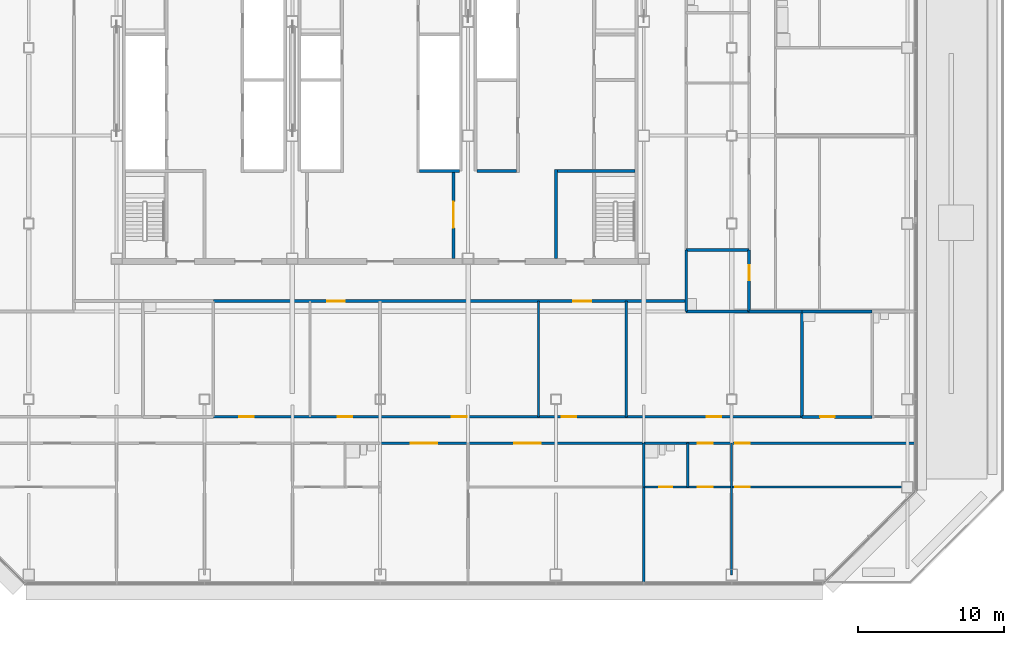
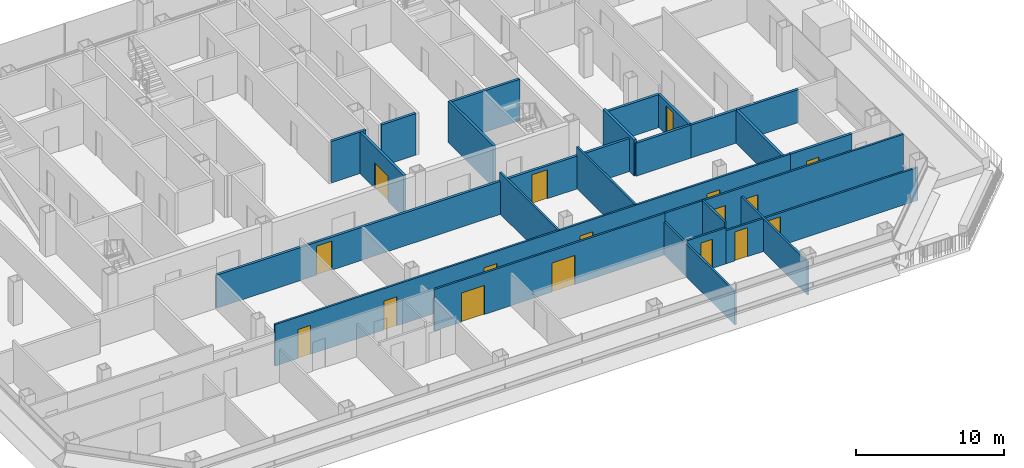
# One storey, part 18 of 28: 26 walls, 17 doors, 17 openings.
"""IFC4 building model written with IfcOpenShell, lengths in metres."""

from ifc_helpers import new_model, si_unit, direction, frame, frame_2d, origin, place, context, subcontext, project, spatial, rectangle, extrude, material, layer, layer_set, type_object, element, fill, save


model = new_model("IFC4")

# Units and contexts
model_context = context("Model", 3, precision=1e-05, world=origin(), true_north=direction((0.0, 1.0)))
body_context = subcontext(model_context, "Body", "Model", "MODEL_VIEW")
ifc_project = project(units=[si_unit("LENGTHUNIT", "METRE"), si_unit("AREAUNIT", "SQUARE_METRE"), si_unit("VOLUMEUNIT", "CUBIC_METRE"), si_unit("PLANEANGLEUNIT", "RADIAN"), si_unit("MASSUNIT", "GRAM", prefix="KILO")], contexts=[model_context])

# Site, building, storey
site_placement = place(None, origin())
site = spatial("IfcSite", under=ifc_project, at=site_placement, CompositionType="ELEMENT")
building_placement = place(site_placement, origin())
building = spatial("IfcBuilding", under=site, at=building_placement, Name="Sorahane Residences", CompositionType="ELEMENT")
storey_placement = place(building_placement, frame((0.0, 0.0, 96.199951171875)))
storey = spatial("IfcBuildingStorey", under=building, at=storey_placement, Name="L20", CompositionType="ELEMENT", Elevation=96.199951171875)

# Wall, openings, doors
ifc_material_1 = material(Name="Concrete blockwork C20 wall", Category="masonry")
ifc_layer_1 = layer(ifc_material_1, 0.199951171875)
ifc_layer_set_1 = layer_set([ifc_layer_1], Name="Corridor wall 200 EI 120")
wall_type_1 = type_object("IfcWallType", Name="Corridor wall 200 EI 120", PredefinedType="SOLIDWALL", material=ifc_layer_set_1)
wall_1_placement = place(storey_placement, frame((12.60009765625, 18.699951171875, 0.0), z_axis=(0.0, 0.0, 1.0), x_axis=(1.0, 0.0, 0.0)))
wall_1 = element("IfcWall", 1, at=wall_1_placement, inside=storey, type_object=wall_type_1, Name="L20 corridor wall", PredefinedType="SOLIDWALL", context=body_context, shape_type="SweptSolid", body=[
    extrude(rectangle(XDim=32.2998046875, YDim=0.199951171875, at=frame_2d((16.14990234375, 0.0))), origin(), (0.0, 0.0, 1.0), 2.719970703125),
])
opening_1_placement = place(wall_1_placement, frame((7.780029296875, 0.0, 0.0)))
opening_1 = element("IfcOpeningElement", 2, at=opening_1_placement, cuts=wall_1, Name="Opening L20-38", PredefinedType="OPENING", context=body_context, shape_type="SweptSolid", body=[
    extrude(rectangle(XDim=1.199951171875, YDim=2.39990234375, at=frame_2d((0.60009765625, 1.199951171875))), frame((0.0, 0.10986328125, 0.0), z_axis=(0.0, -1.0, 0.0), x_axis=(1.0, 0.0, 0.0)), (0.0, 0.0, 1.0), 0.219970703125),
])
opening_2_placement = place(wall_1_placement, frame((24.60009765625, 0.0, 0.0)))
opening_2 = element("IfcOpeningElement", 3, at=opening_2_placement, cuts=wall_1, Name="Opening L20-39", PredefinedType="OPENING", context=body_context, shape_type="SweptSolid", body=[
    extrude(rectangle(XDim=1.199951171875, YDim=2.39990234375, at=frame_2d((0.60009765625, 1.199951171875))), frame((0.0, 0.10986328125, 0.0), z_axis=(0.0, -1.0, 0.0), x_axis=(1.0, 0.0, 0.0)), (0.0, 0.0, 1.0), 0.219970703125),
])
ifc_material_2 = material(Name="Timber veneered fire door", Category="wood")
door_type_1 = type_object("IfcDoorType", Name="Flat entrance door 1200x2400 FD60", OperationType="NOTDEFINED", PredefinedType="DOOR", material=ifc_material_2)
door_1_placement = place(opening_1_placement, frame((1.199951171875, 0.0, 0.0), z_axis=(0.0, 0.0, 1.0), x_axis=(-1.0, 0.0, 0.0)))
door_1 = element("IfcDoor", 4, at=door_1_placement, inside=storey, type_object=door_type_1, Name="Flat entrance door L20-38", OperationType="SINGLE_SWING_LEFT", OverallHeight=2.39990234375, OverallWidth=1.199951171875, PredefinedType="DOOR", context=body_context, shape_type="SweptSolid", body=[
    extrude(rectangle(XDim=1.199951171875, YDim=2.39990234375, at=frame_2d((0.60009765625, 1.199951171875))), frame((0.0, 0.02490234375, 0.0), z_axis=(0.0, -1.0, 0.0), x_axis=(1.0, 0.0, 0.0)), (0.0, 0.0, 1.0), 0.050048828125),
])
fill(opening_1, door_1)
door_2_placement = place(opening_2_placement, frame((1.199951171875, 0.0, 0.0), z_axis=(0.0, 0.0, 1.0), x_axis=(-1.0, 0.0, 0.0)))
door_2 = element("IfcDoor", 5, at=door_2_placement, inside=storey, type_object=door_type_1, Name="Flat entrance door L20-39", OperationType="SINGLE_SWING_LEFT", OverallHeight=2.39990234375, OverallWidth=1.199951171875, PredefinedType="DOOR", context=body_context, shape_type="SweptSolid", body=[
    extrude(rectangle(XDim=1.199951171875, YDim=2.39990234375, at=frame_2d((0.60009765625, 1.199951171875))), frame((0.0, 0.02490234375, 0.0), z_axis=(0.0, -1.0, 0.0), x_axis=(1.0, 0.0, 0.0)), (0.0, 0.0, 1.0), 0.050048828125),
])
fill(opening_2, door_2)

# Walls
ifc_material_3 = material(Name="Concrete C30", Category="concrete")
ifc_layer_2 = layer(ifc_material_3, 0.199951171875)
ifc_layer_set_2 = layer_set([ifc_layer_2], Name="Front room wall 200 EI 120")
wall_type_2 = type_object("IfcWallType", Name="Front room wall 200 EI 120", PredefinedType="PARTITIONING", material=ifc_layer_set_2)
wall_2_placement = place(storey_placement, frame((36.0, 21.60009765625, 0.0), z_axis=(0.0, 0.0, 1.0), x_axis=(0.0, 1.0, 0.0)))
element("IfcWall", 6, at=wall_2_placement, inside=storey, type_object=wall_type_2, Name="L20 front room wall", PredefinedType="PARTITIONING", context=body_context, shape_type="SweptSolid", body=[
    extrude(rectangle(XDim=6.099853515625, YDim=0.199951171875, at=frame_2d((3.0498046875, 0.0))), origin(), (0.0, 0.0, 1.0), 3.420166015625),
])
ifc_material_4 = material(Name="Concrete blockwork C20 wall", Category="masonry")
ifc_layer_3 = layer(ifc_material_4, 0.199951171875)
ifc_layer_set_3 = layer_set([ifc_layer_3], Name="Kitchen wall 200 EI 180")
wall_type_3 = type_object("IfcWallType", Name="Kitchen wall 200 EI 180", PredefinedType="SOLIDWALL", material=ifc_layer_set_3)
wall_3_placement = place(storey_placement, frame((44.89990234375, 18.0, 0.0), z_axis=(0.0, 0.0, 1.0), x_axis=(0.0, 1.0, 0.0)))
element("IfcWall", 7, at=wall_3_placement, inside=storey, type_object=wall_type_3, Name="L20 kitchen wall", PredefinedType="SOLIDWALL", context=body_context, shape_type="SweptSolid", body=[
    extrude(rectangle(XDim=4.199951171875, YDim=0.199951171875, at=frame_2d((2.10009765625, 0.0))), origin(), (0.0, 0.0, 1.0), 2.969970703125),
])

# Wall, opening, door
wall_4_placement = place(storey_placement, frame((49.199951171875, 18.0, 0.0), z_axis=(0.0, 0.0, 1.0), x_axis=(0.0, 1.0, 0.0)))
wall_4 = element("IfcWall", 8, at=wall_4_placement, inside=storey, type_object=wall_type_3, Name="L20 kitchen wall", PredefinedType="SOLIDWALL", context=body_context, shape_type="SweptSolid", body=[
    extrude(rectangle(XDim=4.199951171875, YDim=0.199951171875, at=frame_2d((2.10009765625, 0.0))), origin(), (0.0, 0.0, 1.0), 2.719970703125),
])
opening_3_placement = place(wall_4_placement, frame((2.139892578125, 0.0, 0.0)))
opening_3 = element("IfcOpeningElement", 9, at=opening_3_placement, cuts=wall_4, Name="Opening L20-27", PredefinedType="OPENING", context=body_context, shape_type="SweptSolid", body=[
    extrude(rectangle(XDim=1.0, YDim=2.39990234375, at=frame_2d((0.5, 1.199951171875))), frame((0.0, 0.10986328125, 0.0), z_axis=(0.0, -1.0, 0.0), x_axis=(1.0, 0.0, 0.0)), (0.0, 0.0, 1.0), 0.219970703125),
])
ifc_material_5 = material(Name="Steel", Category="steel")
door_type_2 = type_object("IfcDoorType", Name="Kitchen door 1000x2400 FD120", OperationType="NOTDEFINED", PredefinedType="DOOR", material=ifc_material_5)
door_3_placement = place(opening_3_placement, origin())
door_3 = element("IfcDoor", 10, at=door_3_placement, inside=storey, type_object=door_type_2, Name="Kitchen door L20-27", OperationType="SINGLE_SWING_LEFT", OverallHeight=2.39990234375, OverallWidth=1.0, PredefinedType="DOOR", context=body_context, shape_type="SweptSolid", body=[
    extrude(rectangle(XDim=1.0, YDim=2.39990234375, at=frame_2d((0.5, 1.199951171875))), frame((0.0, 0.02490234375, 0.0), z_axis=(0.0, -1.0, 0.0), x_axis=(1.0, 0.0, 0.0)), (0.0, 0.0, 1.0), 0.050048828125),
])
fill(opening_3, door_3)

# Wall
wall_5_placement = place(storey_placement, frame((52.800048828125, 10.800048828125, 0.0), z_axis=(0.0, 0.0, 1.0), x_axis=(0.0, 1.0, 0.0)))
element("IfcWall", 11, at=wall_5_placement, inside=storey, type_object=wall_type_3, Name="L20 kitchen wall", PredefinedType="SOLIDWALL", context=body_context, shape_type="SweptSolid", body=[
    extrude(rectangle(XDim=7.199951171875, YDim=0.199951171875, at=frame_2d((3.60009765625, 0.0))), origin(), (0.0, 0.0, 1.0), 2.719970703125),
])

# Wall, opening, door
wall_6_placement = place(storey_placement, frame((52.800048828125, 10.800048828125, 0.0), z_axis=(0.0, 0.0, 1.0), x_axis=(1.0, 0.0, 0.0)))
wall_6 = element("IfcWall", 12, at=wall_6_placement, inside=storey, type_object=wall_type_3, Name="L20 kitchen wall", PredefinedType="SOLIDWALL", context=body_context, shape_type="SweptSolid", body=[
    extrude(rectangle(XDim=4.800048828125, YDim=0.199951171875, at=frame_2d((2.39990234375, 0.0))), origin(), (0.0, 0.0, 1.0), 3.420166015625),
])
opening_4_placement = place(wall_6_placement, frame((1.239990234375, 0.0, 0.0)))
opening_4 = element("IfcOpeningElement", 13, at=opening_4_placement, cuts=wall_6, Name="Opening L20-16", PredefinedType="OPENING", context=body_context, shape_type="SweptSolid", body=[
    extrude(rectangle(XDim=1.0, YDim=2.39990234375, at=frame_2d((0.5, 1.199951171875))), frame((0.0, 0.10986328125, 0.0), z_axis=(0.0, -1.0, 0.0), x_axis=(1.0, 0.0, 0.0)), (0.0, 0.0, 1.0), 0.219970703125),
])
door_4_placement = place(opening_4_placement, origin())
door_4 = element("IfcDoor", 14, at=door_4_placement, inside=storey, type_object=door_type_2, Name="Kitchen door L20-16", OperationType="SINGLE_SWING_LEFT", OverallHeight=2.39990234375, OverallWidth=1.0, PredefinedType="DOOR", context=body_context, shape_type="SweptSolid", body=[
    extrude(rectangle(XDim=1.0, YDim=2.39990234375, at=frame_2d((0.5, 1.199951171875))), frame((0.0, 0.02490234375, 0.0), z_axis=(0.0, -1.0, 0.0), x_axis=(1.0, 0.0, 0.0)), (0.0, 0.0, 1.0), 0.050048828125),
])
fill(opening_4, door_4)

# Walls
wall_7_placement = place(storey_placement, frame((44.89990234375, 18.0, 0.0), z_axis=(0.0, 0.0, 1.0), x_axis=(1.0, 0.0, 0.0)))
element("IfcWall", 15, at=wall_7_placement, inside=storey, type_object=wall_type_3, Name="L20 kitchen wall", PredefinedType="SOLIDWALL", context=body_context, shape_type="SweptSolid", body=[
    extrude(rectangle(XDim=4.300048828125, YDim=0.199951171875, at=frame_2d((2.14990234375, 0.0))), origin(), (0.0, 0.0, 1.0), 2.719970703125),
])
wall_8_placement = place(storey_placement, frame((52.800048828125, 18.0, 0.0), z_axis=(0.0, 0.0, 1.0), x_axis=(1.0, 0.0, 0.0)))
element("IfcWall", 16, at=wall_8_placement, inside=storey, type_object=wall_type_3, Name="L20 kitchen wall", PredefinedType="SOLIDWALL", context=body_context, shape_type="SweptSolid", body=[
    extrude(rectangle(XDim=4.800048828125, YDim=0.199951171875, at=frame_2d((2.39990234375, 0.0))), origin(), (0.0, 0.0, 1.0), 2.719970703125),
])
wall_9_placement = place(storey_placement, frame((44.89990234375, 22.199951171875, 0.0), z_axis=(0.0, 0.0, 1.0), x_axis=(1.0, 0.0, 0.0)))
element("IfcWall", 17, at=wall_9_placement, inside=storey, type_object=wall_type_3, Name="L20 kitchen wall", PredefinedType="SOLIDWALL", context=body_context, shape_type="SweptSolid", body=[
    extrude(rectangle(XDim=4.300048828125, YDim=0.199951171875, at=frame_2d((2.14990234375, 0.0))), origin(), (0.0, 0.0, 1.0), 2.719970703125),
])
ifc_material_6 = material(Name="Gypsum board partition on steel studs", Category="steel")
ifc_layer_4 = layer(ifc_material_6, 0.14990234375)
ifc_layer_set_4 = layer_set([ifc_layer_4], Name="Partition 150 EI 90")
wall_type_4 = type_object("IfcWallType", Name="Partition 150 EI 90", PredefinedType="PARTITIONING", material=ifc_layer_set_4)
for number, where, z_axis, x_axis, name in (
    (18, (34.800048828125, 10.800048828125, 0.0), (0.0, 0.0, 1.0), (0.0, 1.0, 0.0), "L20 partition"),
    (19, (40.800048828125, 10.800048828125, 0.0), (0.0, 0.0, 1.0), (0.0, 1.0, 0.0), "L20 partition"),
):
    element("IfcWall", number, at=place(storey_placement, frame(where, z_axis=z_axis, x_axis=x_axis)), inside=storey, type_object=wall_type_4, Name=name, PredefinedType="PARTITIONING", context=body_context, shape_type="SweptSolid", body=[
        extrude(rectangle(XDim=7.89990234375, YDim=0.14990234375, at=frame_2d((3.949951171875, 0.0))), origin(), (0.0, 0.0, 1.0), 3.420166015625),
    ])
wall_10_placement = place(storey_placement, frame((42.0, -0.60009765625, 0.0), z_axis=(0.0, 0.0, 1.0), x_axis=(0.0, 1.0, 0.0)))
element("IfcWall", 20, at=wall_10_placement, inside=storey, type_object=wall_type_4, Name="L20 partition", PredefinedType="PARTITIONING", context=body_context, shape_type="SweptSolid", body=[
    extrude(rectangle(XDim=6.60009765625, YDim=0.14990234375, at=frame_2d((3.300048828125, 0.0))), origin(), (0.0, 0.0, 1.0), 2.719970703125),
])
wall_11_placement = place(storey_placement, frame((48.0, 0.0, 0.0), z_axis=(0.0, 0.0, 1.0), x_axis=(0.0, 1.0, 0.0)))
element("IfcWall", 21, at=wall_11_placement, inside=storey, type_object=wall_type_4, Name="L20 partition", PredefinedType="PARTITIONING", context=body_context, shape_type="SweptSolid", body=[
    extrude(rectangle(XDim=9.0, YDim=0.14990234375, at=frame_2d((4.5, 0.0))), origin(), (0.0, 0.0, 1.0), 2.719970703125),
])

# Wall, openings, doors
wall_12_placement = place(storey_placement, frame((12.60009765625, 10.800048828125, 0.0), z_axis=(0.0, 0.0, 1.0), x_axis=(1.0, 0.0, 0.0)))
wall_12 = element("IfcWall", 22, at=wall_12_placement, inside=storey, type_object=wall_type_4, Name="L20 partition", PredefinedType="PARTITIONING", context=body_context, shape_type="SweptSolid", body=[
    extrude(rectangle(XDim=40.199951171875, YDim=0.14990234375, at=frame_2d((20.10009765625, 0.0))), origin(), (0.0, 0.0, 1.0), 3.420166015625),
])
opening_5_placement = place(wall_12_placement, frame((8.5, 0.0, 0.0)))
opening_5 = element("IfcOpeningElement", 23, at=opening_5_placement, cuts=wall_12, Name="Opening L20-01", PredefinedType="OPENING", context=body_context, shape_type="SweptSolid", body=[
    extrude(rectangle(XDim=1.0, YDim=2.39990234375, at=frame_2d((0.5, 1.199951171875))), frame((0.0, 0.0849609375, 0.0), z_axis=(0.0, -1.0, 0.0), x_axis=(1.0, 0.0, 0.0)), (0.0, 0.0, 1.0), 0.169921875),
])
opening_6_placement = place(wall_12_placement, frame((1.780029296875, 0.0, 0.0)))
opening_6 = element("IfcOpeningElement", 24, at=opening_6_placement, cuts=wall_12, Name="Opening L20-05", PredefinedType="OPENING", context=body_context, shape_type="SweptSolid", body=[
    extrude(rectangle(XDim=1.0, YDim=2.39990234375, at=frame_2d((0.5, 1.199951171875))), frame((0.0, 0.0849609375, 0.0), z_axis=(0.0, -1.0, 0.0), x_axis=(1.0, 0.0, 0.0)), (0.0, 0.0, 1.0), 0.169921875),
])
opening_7_placement = place(wall_12_placement, frame((23.800048828125, 0.0, 0.0)))
opening_7 = element("IfcOpeningElement", 25, at=opening_7_placement, cuts=wall_12, Name="Opening L20-13", PredefinedType="OPENING", context=body_context, shape_type="SweptSolid", body=[
    extrude(rectangle(XDim=1.0, YDim=2.39990234375, at=frame_2d((0.5, 1.199951171875))), frame((0.0, 0.0849609375, 0.0), z_axis=(0.0, -1.0, 0.0), x_axis=(1.0, 0.0, 0.0)), (0.0, 0.0, 1.0), 0.169921875),
])
opening_8_placement = place(wall_12_placement, frame((16.300048828125, 0.0, 0.0)))
opening_8 = element("IfcOpeningElement", 26, at=opening_8_placement, cuts=wall_12, Name="Opening L20-14", PredefinedType="OPENING", context=body_context, shape_type="SweptSolid", body=[
    extrude(rectangle(XDim=1.0, YDim=2.39990234375, at=frame_2d((0.5, 1.199951171875))), frame((0.0, 0.0849609375, 0.0), z_axis=(0.0, -1.0, 0.0), x_axis=(1.0, 0.0, 0.0)), (0.0, 0.0, 1.0), 0.169921875),
])
opening_9_placement = place(wall_12_placement, frame((33.699951171875, 0.0, 0.0)))
opening_9 = element("IfcOpeningElement", 27, at=opening_9_placement, cuts=wall_12, Name="Opening L20-15", PredefinedType="OPENING", context=body_context, shape_type="SweptSolid", body=[
    extrude(rectangle(XDim=1.0, YDim=2.39990234375, at=frame_2d((0.5, 1.199951171875))), frame((0.0, 0.0849609375, 0.0), z_axis=(0.0, -1.0, 0.0), x_axis=(1.0, 0.0, 0.0)), (0.0, 0.0, 1.0), 0.169921875),
])
ifc_material_7 = material(Name="Timber veneered fire door", Category="wood")
door_type_3 = type_object("IfcDoorType", Name="Room door 1000x2400 FD30", OperationType="NOTDEFINED", PredefinedType="DOOR", material=ifc_material_7)
door_5_placement = place(opening_5_placement, frame((1.0, 0.0, 0.0), z_axis=(0.0, 0.0, 1.0), x_axis=(-1.0, 0.0, 0.0)))
door_5 = element("IfcDoor", 28, at=door_5_placement, inside=storey, type_object=door_type_3, Name="Room door L20-01", OperationType="SINGLE_SWING_RIGHT", OverallHeight=2.39990234375, OverallWidth=1.0, PredefinedType="DOOR", context=body_context, shape_type="SweptSolid", body=[
    extrude(rectangle(XDim=1.0, YDim=2.39990234375, at=frame_2d((0.5, 1.199951171875))), frame((0.0, 0.02490234375, 0.0), z_axis=(0.0, -1.0, 0.0), x_axis=(1.0, 0.0, 0.0)), (0.0, 0.0, 1.0), 0.050048828125),
])
fill(opening_5, door_5)
door_6_placement = place(opening_6_placement, origin())
door_6 = element("IfcDoor", 29, at=door_6_placement, inside=storey, type_object=door_type_3, Name="Room door L20-05", OperationType="SINGLE_SWING_RIGHT", OverallHeight=2.39990234375, OverallWidth=1.0, PredefinedType="DOOR", context=body_context, shape_type="SweptSolid", body=[
    extrude(rectangle(XDim=1.0, YDim=2.39990234375, at=frame_2d((0.5, 1.199951171875))), frame((0.0, 0.02490234375, 0.0), z_axis=(0.0, -1.0, 0.0), x_axis=(1.0, 0.0, 0.0)), (0.0, 0.0, 1.0), 0.050048828125),
])
fill(opening_6, door_6)
door_7_placement = place(opening_7_placement, frame((1.0, 0.0, 0.0), z_axis=(0.0, 0.0, 1.0), x_axis=(-1.0, 0.0, 0.0)))
door_7 = element("IfcDoor", 30, at=door_7_placement, inside=storey, type_object=door_type_3, Name="Room door L20-13", OperationType="SINGLE_SWING_RIGHT", OverallHeight=2.39990234375, OverallWidth=1.0, PredefinedType="DOOR", context=body_context, shape_type="SweptSolid", body=[
    extrude(rectangle(XDim=1.0, YDim=2.39990234375, at=frame_2d((0.5, 1.199951171875))), frame((0.0, 0.02490234375, 0.0), z_axis=(0.0, -1.0, 0.0), x_axis=(1.0, 0.0, 0.0)), (0.0, 0.0, 1.0), 0.050048828125),
])
fill(opening_7, door_7)
door_8_placement = place(opening_8_placement, origin())
door_8 = element("IfcDoor", 31, at=door_8_placement, inside=storey, type_object=door_type_3, Name="Room door L20-14", OperationType="SINGLE_SWING_LEFT", OverallHeight=2.39990234375, OverallWidth=1.0, PredefinedType="DOOR", context=body_context, shape_type="SweptSolid", body=[
    extrude(rectangle(XDim=1.0, YDim=2.39990234375, at=frame_2d((0.5, 1.199951171875))), frame((0.0, 0.02490234375, 0.0), z_axis=(0.0, -1.0, 0.0), x_axis=(1.0, 0.0, 0.0)), (0.0, 0.0, 1.0), 0.050048828125),
])
fill(opening_8, door_8)
door_9_placement = place(opening_9_placement, origin())
door_9 = element("IfcDoor", 32, at=door_9_placement, inside=storey, type_object=door_type_3, Name="Room door L20-15", OperationType="SINGLE_SWING_RIGHT", OverallHeight=2.39990234375, OverallWidth=1.0, PredefinedType="DOOR", context=body_context, shape_type="SweptSolid", body=[
    extrude(rectangle(XDim=1.0, YDim=2.39990234375, at=frame_2d((0.5, 1.199951171875))), frame((0.0, 0.02490234375, 0.0), z_axis=(0.0, -1.0, 0.0), x_axis=(1.0, 0.0, 0.0)), (0.0, 0.0, 1.0), 0.050048828125),
])
fill(opening_9, door_9)

wall_13_placement = place(storey_placement, frame((45.0, 6.0, 0.0), z_axis=(0.0, 0.0, 1.0), x_axis=(1.0, 0.0, 0.0)))
wall_13 = element("IfcWall", 33, at=wall_13_placement, inside=storey, type_object=wall_type_4, Name="L20 partition", PredefinedType="PARTITIONING", context=body_context, shape_type="SweptSolid", body=[
    extrude(rectangle(XDim=15.0, YDim=0.14990234375, at=frame_2d((7.5, 0.0))), origin(), (0.0, 0.0, 1.0), 2.719970703125),
])
opening_10_placement = place(wall_13_placement, frame((0.699951171875, 0.0, 0.0)))
opening_10 = element("IfcOpeningElement", 34, at=opening_10_placement, cuts=wall_13, Name="Opening L20-23", PredefinedType="OPENING", context=body_context, shape_type="SweptSolid", body=[
    extrude(rectangle(XDim=1.0, YDim=2.39990234375, at=frame_2d((0.5, 1.199951171875))), frame((0.0, 0.0849609375, 0.0), z_axis=(0.0, -1.0, 0.0), x_axis=(1.0, 0.0, 0.0)), (0.0, 0.0, 1.0), 0.169921875),
])
opening_11_placement = place(wall_13_placement, frame((3.25, 0.0, 0.0)))
opening_11 = element("IfcOpeningElement", 35, at=opening_11_placement, cuts=wall_13, Name="Opening L20-25", PredefinedType="OPENING", context=body_context, shape_type="SweptSolid", body=[
    extrude(rectangle(XDim=1.0, YDim=2.39990234375, at=frame_2d((0.5, 1.199951171875))), frame((0.0, 0.0849609375, 0.0), z_axis=(0.0, -1.0, 0.0), x_axis=(1.0, 0.0, 0.0)), (0.0, 0.0, 1.0), 0.169921875),
])
door_10_placement = place(opening_10_placement, frame((1.0, 0.0, 0.0), z_axis=(0.0, 0.0, 1.0), x_axis=(-1.0, 0.0, 0.0)))
door_10 = element("IfcDoor", 36, at=door_10_placement, inside=storey, type_object=door_type_3, Name="Room door L20-23", OperationType="SINGLE_SWING_RIGHT", OverallHeight=2.39990234375, OverallWidth=1.0, PredefinedType="DOOR", context=body_context, shape_type="SweptSolid", body=[
    extrude(rectangle(XDim=1.0, YDim=2.39990234375, at=frame_2d((0.5, 1.199951171875))), frame((0.0, 0.02490234375, 0.0), z_axis=(0.0, -1.0, 0.0), x_axis=(1.0, 0.0, 0.0)), (0.0, 0.0, 1.0), 0.050048828125),
])
fill(opening_10, door_10)
door_11_placement = place(opening_11_placement, frame((1.0, 0.0, 0.0), z_axis=(0.0, 0.0, 1.0), x_axis=(-1.0, 0.0, 0.0)))
door_11 = element("IfcDoor", 37, at=door_11_placement, inside=storey, type_object=door_type_3, Name="Room door L20-25", OperationType="SINGLE_SWING_LEFT", OverallHeight=2.39990234375, OverallWidth=1.0, PredefinedType="DOOR", context=body_context, shape_type="SweptSolid", body=[
    extrude(rectangle(XDim=1.0, YDim=2.39990234375, at=frame_2d((0.5, 1.199951171875))), frame((0.0, 0.02490234375, 0.0), z_axis=(0.0, -1.0, 0.0), x_axis=(1.0, 0.0, 0.0)), (0.0, 0.0, 1.0), 0.050048828125),
])
fill(opening_11, door_11)

wall_14_placement = place(storey_placement, frame((24.0, 9.0, 0.0), z_axis=(0.0, 0.0, 1.0), x_axis=(1.0, 0.0, 0.0)))
wall_14 = element("IfcWall", 38, at=wall_14_placement, inside=storey, type_object=wall_type_4, Name="L20 partition", PredefinedType="PARTITIONING", context=body_context, shape_type="SweptSolid", body=[
    extrude(rectangle(XDim=18.0, YDim=0.14990234375, at=frame_2d((9.0, 0.0))), origin(), (0.0, 0.0, 1.0), 3.420166015625),
])
opening_12_placement = place(wall_14_placement, frame((2.10009765625, 0.0, 0.0)))
opening_12 = element("IfcOpeningElement", 39, at=opening_12_placement, cuts=wall_14, Name="Opening L20-18", PredefinedType="OPENING", context=body_context, shape_type="SweptSolid", body=[
    extrude(rectangle(XDim=1.800048828125, YDim=2.39990234375, at=frame_2d((0.89990234375, 1.199951171875))), frame((0.0, 0.0849609375, 0.0), z_axis=(0.0, -1.0, 0.0), x_axis=(1.0, 0.0, 0.0)), (0.0, 0.0, 1.0), 0.169921875),
])
opening_13_placement = place(wall_14_placement, frame((9.159912109375, 0.0, 0.0)))
opening_13 = element("IfcOpeningElement", 40, at=opening_13_placement, cuts=wall_14, Name="Opening L20-20", PredefinedType="OPENING", context=body_context, shape_type="SweptSolid", body=[
    extrude(rectangle(XDim=1.800048828125, YDim=2.39990234375, at=frame_2d((0.89990234375, 1.199951171875))), frame((0.0, 0.0849609375, 0.0), z_axis=(0.0, -1.0, 0.0), x_axis=(1.0, 0.0, 0.0)), (0.0, 0.0, 1.0), 0.169921875),
])
ifc_material_8 = material(Name="Timber veneered fire door", Category="wood")
door_type_4 = type_object("IfcDoorType", Name="Double door 1800x2400 FD30", OperationType="NOTDEFINED", PredefinedType="DOOR", material=ifc_material_8)
door_12_placement = place(opening_12_placement, frame((1.800048828125, 0.0, 0.0), z_axis=(0.0, 0.0, 1.0), x_axis=(-1.0, 0.0, 0.0)))
door_12 = element("IfcDoor", 41, at=door_12_placement, inside=storey, type_object=door_type_4, Name="Double door L20-18", OperationType="SINGLE_SWING_LEFT", OverallHeight=2.39990234375, OverallWidth=1.800048828125, PredefinedType="DOOR", context=body_context, shape_type="SweptSolid", body=[
    extrude(rectangle(XDim=1.800048828125, YDim=2.39990234375, at=frame_2d((0.89990234375, 1.199951171875))), frame((0.0, 0.02490234375, 0.0), z_axis=(0.0, -1.0, 0.0), x_axis=(1.0, 0.0, 0.0)), (0.0, 0.0, 1.0), 0.050048828125),
])
fill(opening_12, door_12)
door_13_placement = place(opening_13_placement, frame((1.800048828125, 0.0, 0.0), z_axis=(0.0, 0.0, 1.0), x_axis=(-1.0, 0.0, 0.0)))
door_13 = element("IfcDoor", 42, at=door_13_placement, inside=storey, type_object=door_type_4, Name="Double door L20-20", OperationType="SINGLE_SWING_RIGHT", OverallHeight=2.39990234375, OverallWidth=1.800048828125, PredefinedType="DOOR", context=body_context, shape_type="SweptSolid", body=[
    extrude(rectangle(XDim=1.800048828125, YDim=2.39990234375, at=frame_2d((0.89990234375, 1.199951171875))), frame((0.0, 0.02490234375, 0.0), z_axis=(0.0, -1.0, 0.0), x_axis=(1.0, 0.0, 0.0)), (0.0, 0.0, 1.0), 0.050048828125),
])
fill(opening_13, door_13)

wall_15_placement = place(storey_placement, frame((45.0, 9.0, 0.0), z_axis=(0.0, 0.0, 1.0), x_axis=(1.0, 0.0, 0.0)))
wall_15 = element("IfcWall", 43, at=wall_15_placement, inside=storey, type_object=wall_type_4, Name="L20 partition", PredefinedType="PARTITIONING", context=body_context, shape_type="SweptSolid", body=[
    extrude(rectangle(XDim=15.60009765625, YDim=0.14990234375, at=frame_2d((7.800048828125, 0.0))), origin(), (0.0, 0.0, 1.0), 3.420166015625),
])
opening_14_placement = place(wall_15_placement, frame((0.699951171875, 0.0, 0.0)))
opening_14 = element("IfcOpeningElement", 44, at=opening_14_placement, cuts=wall_15, Name="Opening L20-21", PredefinedType="OPENING", context=body_context, shape_type="SweptSolid", body=[
    extrude(rectangle(XDim=1.0, YDim=2.39990234375, at=frame_2d((0.5, 1.199951171875))), frame((0.0, 0.0849609375, 0.0), z_axis=(0.0, -1.0, 0.0), x_axis=(1.0, 0.0, 0.0)), (0.0, 0.0, 1.0), 0.169921875),
])
opening_15_placement = place(wall_15_placement, frame((3.25, 0.0, 0.0)))
opening_15 = element("IfcOpeningElement", 45, at=opening_15_placement, cuts=wall_15, Name="Opening L20-22", PredefinedType="OPENING", context=body_context, shape_type="SweptSolid", body=[
    extrude(rectangle(XDim=1.0, YDim=2.39990234375, at=frame_2d((0.5, 1.199951171875))), frame((0.0, 0.0849609375, 0.0), z_axis=(0.0, -1.0, 0.0), x_axis=(1.0, 0.0, 0.0)), (0.0, 0.0, 1.0), 0.169921875),
])
door_14_placement = place(opening_14_placement, frame((1.0, 0.0, 0.0), z_axis=(0.0, 0.0, 1.0), x_axis=(-1.0, 0.0, 0.0)))
door_14 = element("IfcDoor", 46, at=door_14_placement, inside=storey, type_object=door_type_3, Name="Room door L20-21", OperationType="SINGLE_SWING_RIGHT", OverallHeight=2.39990234375, OverallWidth=1.0, PredefinedType="DOOR", context=body_context, shape_type="SweptSolid", body=[
    extrude(rectangle(XDim=1.0, YDim=2.39990234375, at=frame_2d((0.5, 1.199951171875))), frame((0.0, 0.02490234375, 0.0), z_axis=(0.0, -1.0, 0.0), x_axis=(1.0, 0.0, 0.0)), (0.0, 0.0, 1.0), 0.050048828125),
])
fill(opening_14, door_14)
door_15_placement = place(opening_15_placement, frame((1.0, 0.0, 0.0), z_axis=(0.0, 0.0, 1.0), x_axis=(-1.0, 0.0, 0.0)))
door_15 = element("IfcDoor", 47, at=door_15_placement, inside=storey, type_object=door_type_3, Name="Room door L20-22", OperationType="SINGLE_SWING_LEFT", OverallHeight=2.39990234375, OverallWidth=1.0, PredefinedType="DOOR", context=body_context, shape_type="SweptSolid", body=[
    extrude(rectangle(XDim=1.0, YDim=2.39990234375, at=frame_2d((0.5, 1.199951171875))), frame((0.0, 0.02490234375, 0.0), z_axis=(0.0, -1.0, 0.0), x_axis=(1.0, 0.0, 0.0)), (0.0, 0.0, 1.0), 0.050048828125),
])
fill(opening_15, door_15)

# Walls
ifc_material_9 = material(Name="Concrete blockwork C20 wall", Category="masonry")
ifc_layer_5 = layer(ifc_material_9, 0.199951171875)
ifc_layer_set_5 = layer_set([ifc_layer_5], Name="Party wall 200 EI 120")
wall_type_5 = type_object("IfcWallType", Name="Party wall 200 EI 120", PredefinedType="SOLIDWALL", material=ifc_layer_set_5)
wall_16_placement = place(storey_placement, frame((49.199951171875, 18.0, 0.0), z_axis=(0.0, 0.0, 1.0), x_axis=(1.0, 0.0, 0.0)))
element("IfcWall", 48, at=wall_16_placement, inside=storey, type_object=wall_type_5, Name="L20 party wall", PredefinedType="SOLIDWALL", context=body_context, shape_type="SweptSolid", body=[
    extrude(rectangle(XDim=3.60009765625, YDim=0.199951171875, at=frame_2d((1.800048828125, 0.0))), origin(), (0.0, 0.0, 1.0), 2.719970703125),
])
ifc_material_10 = material(Name="Concrete C30", Category="concrete")
ifc_layer_6 = layer(ifc_material_10, 0.199951171875)
ifc_layer_set_6 = layer_set([ifc_layer_6], Name="Riser shaft wall 200 EI 120")
wall_type_6 = type_object("IfcWallType", Name="Riser shaft wall 200 EI 120", PredefinedType="SOLIDWALL", material=ifc_layer_set_6)
wall_17_placement = place(storey_placement, frame((26.699951171875, 27.60009765625, 0.0), z_axis=(0.0, 0.0, 1.0), x_axis=(1.0, 0.0, 0.0)))
element("IfcWall", 49, at=wall_17_placement, inside=storey, type_object=wall_type_6, Name="L20 riser wall", PredefinedType="SOLIDWALL", context=body_context, shape_type="SweptSolid", body=[
    extrude(rectangle(XDim=2.699951171875, YDim=0.199951171875, at=frame_2d((1.35009765625, 0.0))), origin(), (0.0, 0.0, 1.0), 3.420166015625),
])

# Wall, opening, door
ifc_material_11 = material(Name="Concrete C30", Category="concrete")
ifc_layer_7 = layer(ifc_material_11, 0.199951171875)
ifc_layer_set_7 = layer_set([ifc_layer_7], Name="Service room partition 200 EI 60")
wall_type_7 = type_object("IfcWallType", Name="Service room partition 200 EI 60", PredefinedType="PARTITIONING", material=ifc_layer_set_7)
wall_18_placement = place(storey_placement, frame((29.0, 21.60009765625, 0.0), z_axis=(0.0, 0.0, 1.0), x_axis=(0.0, 1.0, 0.0)))
wall_18 = element("IfcWall", 50, at=wall_18_placement, inside=storey, type_object=wall_type_7, Name="L20 service room wall", PredefinedType="PARTITIONING", context=body_context, shape_type="SweptSolid", body=[
    extrude(rectangle(XDim=6.0, YDim=0.199951171875, at=frame_2d((3.0, 0.0))), origin(), (0.0, 0.0, 1.0), 3.420166015625),
])
opening_16_placement = place(wall_18_placement, frame((2.10009765625, 0.0, 0.0)))
opening_16 = element("IfcOpeningElement", 51, at=opening_16_placement, cuts=wall_18, Name="Opening L20-C04", PredefinedType="OPENING", context=body_context, shape_type="SweptSolid", body=[
    extrude(rectangle(XDim=1.800048828125, YDim=2.10009765625, at=frame_2d((0.89990234375, 1.050048828125))), frame((0.0, 0.10986328125, 0.0), z_axis=(0.0, -1.0, 0.0), x_axis=(1.0, 0.0, 0.0)), (0.0, 0.0, 1.0), 0.219970703125),
])
ifc_material_12 = material(Name="Steel", Category="steel")
door_type_5 = type_object("IfcDoorType", Name="Waiting hall door 1800x2100 FD60", OperationType="NOTDEFINED", PredefinedType="DOOR", material=ifc_material_12)
door_16_placement = place(opening_16_placement, origin())
door_16 = element("IfcDoor", 52, at=door_16_placement, inside=storey, type_object=door_type_5, Name="Waiting hall door Residents' waiting hall centre L20", OperationType="SINGLE_SWING_LEFT", OverallHeight=2.10009765625, OverallWidth=1.800048828125, PredefinedType="DOOR", context=body_context, shape_type="SweptSolid", body=[
    extrude(rectangle(XDim=1.800048828125, YDim=2.10009765625, at=frame_2d((0.89990234375, 1.050048828125))), frame((0.0, 0.02490234375, 0.0), z_axis=(0.0, -1.0, 0.0), x_axis=(1.0, 0.0, 0.0)), (0.0, 0.0, 1.0), 0.050048828125),
])
fill(opening_16, door_16)

# Walls
wall_19_placement = place(storey_placement, frame((30.60009765625, 27.60009765625, 0.0), z_axis=(0.0, 0.0, 1.0), x_axis=(1.0, 0.0, 0.0)))
element("IfcWall", 53, at=wall_19_placement, inside=storey, type_object=wall_type_7, Name="L20 service room wall", PredefinedType="PARTITIONING", context=body_context, shape_type="SweptSolid", body=[
    extrude(rectangle(XDim=2.699951171875, YDim=0.199951171875, at=frame_2d((1.35009765625, 0.0))), origin(), (0.0, 0.0, 1.0), 3.420166015625),
])
ifc_material_13 = material(Name="Concrete C30", Category="concrete")
ifc_layer_8 = layer(ifc_material_13, 0.199951171875)
ifc_layer_set_8 = layer_set([ifc_layer_8], Name="Stair enclosure wall 200 EI 120")
wall_type_8 = type_object("IfcWallType", Name="Stair enclosure wall 200 EI 120", PredefinedType="SOLIDWALL", material=ifc_layer_set_8)
wall_20_placement = place(storey_placement, frame((36.10009765625, 27.60009765625, 0.0), z_axis=(0.0, 0.0, 1.0), x_axis=(1.0, 0.0, 0.0)))
element("IfcWall", 54, at=wall_20_placement, inside=storey, type_object=wall_type_8, Name="L20 stair enclosure wall", PredefinedType="SOLIDWALL", context=body_context, shape_type="SweptSolid", body=[
    extrude(rectangle(XDim=5.2998046875, YDim=0.199951171875, at=frame_2d((2.64990234375, 0.0))), origin(), (0.0, 0.0, 1.0), 3.420166015625),
])
ifc_material_14 = material(Name="Gypsum board partition on steel studs", Category="steel")
ifc_layer_9 = layer(ifc_material_14, 0.14990234375)
ifc_layer_set_9 = layer_set([ifc_layer_9], Name="Wet wall 150 EI 90")
wall_type_9 = type_object("IfcWallType", Name="Wet wall 150 EI 90", PredefinedType="PARTITIONING", material=ifc_layer_set_9)
wall_21_placement = place(storey_placement, frame((42.0, 6.0, 0.0), z_axis=(0.0, 0.0, 1.0), x_axis=(0.0, 1.0, 0.0)))
element("IfcWall", 55, at=wall_21_placement, inside=storey, type_object=wall_type_9, Name="L20 wet wall", PredefinedType="PARTITIONING", context=body_context, shape_type="SweptSolid", body=[
    extrude(rectangle(XDim=3.0, YDim=0.14990234375, at=frame_2d((1.5, 0.0))), origin(), (0.0, 0.0, 1.0), 2.719970703125),
])
wall_22_placement = place(storey_placement, frame((45.0, 6.0, 0.0), z_axis=(0.0, 0.0, 1.0), x_axis=(0.0, 1.0, 0.0)))
element("IfcWall", 56, at=wall_22_placement, inside=storey, type_object=wall_type_9, Name="L20 wet wall", PredefinedType="PARTITIONING", context=body_context, shape_type="SweptSolid", body=[
    extrude(rectangle(XDim=3.0, YDim=0.14990234375, at=frame_2d((1.5, 0.0))), origin(), (0.0, 0.0, 1.0), 3.420166015625),
])

# Wall, opening, door
wall_23_placement = place(storey_placement, frame((42.0, 6.0, 0.0), z_axis=(0.0, 0.0, 1.0), x_axis=(1.0, 0.0, 0.0)))
wall_23 = element("IfcWall", 57, at=wall_23_placement, inside=storey, type_object=wall_type_9, Name="L20 wet wall", PredefinedType="PARTITIONING", context=body_context, shape_type="SweptSolid", body=[
    extrude(rectangle(XDim=3.0, YDim=0.14990234375, at=frame_2d((1.5, 0.0))), origin(), (0.0, 0.0, 1.0), 2.969970703125),
])
opening_17_placement = place(wall_23_placement, frame((1.050048828125, 0.0, 0.0)))
opening_17 = element("IfcOpeningElement", 58, at=opening_17_placement, cuts=wall_23, Name="Opening L20-24", PredefinedType="OPENING", context=body_context, shape_type="SweptSolid", body=[
    extrude(rectangle(XDim=0.89990234375, YDim=2.39990234375, at=frame_2d((0.449951171875, 1.199951171875))), frame((0.0, 0.0849609375, 0.0), z_axis=(0.0, -1.0, 0.0), x_axis=(1.0, 0.0, 0.0)), (0.0, 0.0, 1.0), 0.169921875),
])
ifc_material_15 = material(Name="Timber veneered fire door", Category="wood")
door_type_6 = type_object("IfcDoorType", Name="Bathroom door 900x2400 FD30", OperationType="NOTDEFINED", PredefinedType="DOOR", material=ifc_material_15)
door_17_placement = place(opening_17_placement, frame((0.89990234375, 0.0, 0.0), z_axis=(0.0, 0.0, 1.0), x_axis=(-1.0, 0.0, 0.0)))
door_17 = element("IfcDoor", 59, at=door_17_placement, inside=storey, type_object=door_type_6, Name="Bathroom door L20-24", OperationType="SINGLE_SWING_RIGHT", OverallHeight=2.39990234375, OverallWidth=0.89990234375, PredefinedType="DOOR", context=body_context, shape_type="SweptSolid", body=[
    extrude(rectangle(XDim=0.89990234375, YDim=2.39990234375, at=frame_2d((0.449951171875, 1.199951171875))), frame((0.0, 0.02490234375, 0.0), z_axis=(0.0, -1.0, 0.0), x_axis=(1.0, 0.0, 0.0)), (0.0, 0.0, 1.0), 0.050048828125),
])
fill(opening_17, door_17)

# Wall
wall_24_placement = place(storey_placement, frame((42.0, 9.0, 0.0), z_axis=(0.0, 0.0, 1.0), x_axis=(1.0, 0.0, 0.0)))
element("IfcWall", 60, at=wall_24_placement, inside=storey, type_object=wall_type_9, Name="L20 wet wall", PredefinedType="PARTITIONING", context=body_context, shape_type="SweptSolid", body=[
    extrude(rectangle(XDim=3.0, YDim=0.14990234375, at=frame_2d((1.5, 0.0))), origin(), (0.0, 0.0, 1.0), 3.420166015625),
])

save(model, "model.ifc")
